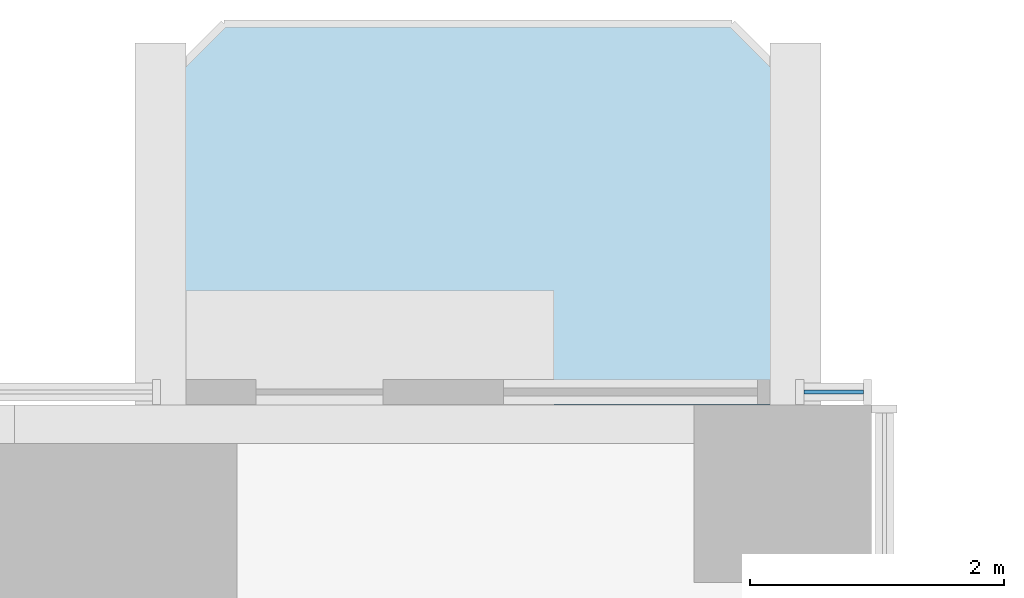
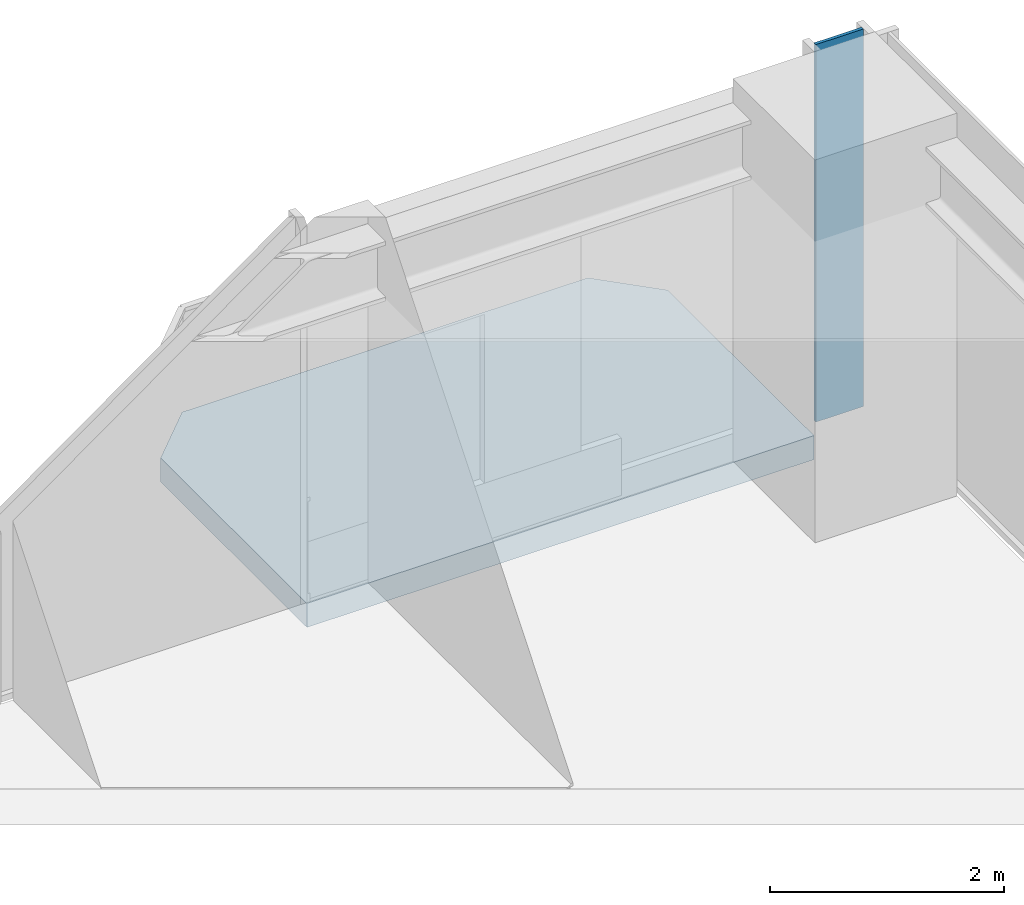
# One storey, part 10 of 17: 1 plate, 1 slab, 1 element without a shape of its own.
"""IFC4 building model written with IfcOpenShell, lengths in metres."""

from ifc_helpers import new_model, si_unit, direction, frame, origin, origin_2d, place, context, subcontext, project, spatial, polyline, rectangle, outline, extrude, material, layer, layer_set, type_object, element, aggregate, save


model = new_model("IFC4")

# Units and contexts
model_context = context("Model", 3, precision=1e-05, world=origin(), true_north=direction((0.0, 1.0)))
body_context = subcontext(model_context, "Body", "Model", "MODEL_VIEW")
ifc_project = project(units=[si_unit("LENGTHUNIT", "METRE"), si_unit("AREAUNIT", "SQUARE_METRE"), si_unit("VOLUMEUNIT", "CUBIC_METRE"), si_unit("PLANEANGLEUNIT", "RADIAN"), si_unit("MASSUNIT", "GRAM", prefix="KILO")], contexts=[model_context])

# Site, building, storey
site_placement = place(None, origin())
site = spatial("IfcSite", under=ifc_project, at=site_placement, CompositionType="ELEMENT")
building_placement = place(site_placement, origin())
building = spatial("IfcBuilding", under=site, at=building_placement, Name="Svetlomir Tower", CompositionType="ELEMENT")
storey_placement = place(building_placement, frame((0.0, 0.0, 62.5)))
storey = spatial("IfcBuildingStorey", under=building, at=storey_placement, Name="L14", CompositionType="ELEMENT", Elevation=62.5)

# Slab
ifc_material_1 = material(Name="Concrete C60/75", Category="concrete")
ifc_layer_1 = layer(ifc_material_1, 0.25)
ifc_layer_set_1 = layer_set([ifc_layer_1], Name="Concrete C60/75")
slab_type = type_object("IfcSlabType", Name="BALCONY SLAB 250", PredefinedType="FLOOR", material=ifc_layer_set_1)
slab_placement = place(storey_placement, frame((0.0, 0.0, -0.25)))
element("IfcSlab", 1, at=slab_placement, inside=storey, type_object=slab_type, Name="L14 N planted balcony", PredefinedType="FLOOR", context=body_context, shape_type="SweptSolid", body=[
    extrude(outline(polyline([(30.39990234375, 42.0), (35.39990234375, 42.0), (35.39990234375, 44.5), (34.89990234375, 45.0), (30.89990234375, 45.0), (30.39990234375, 44.5), (30.39990234375, 42.0)])), origin(), (0.0, 0.0, 1.0), 0.25),
])

# Curtain wall, plate
ifc_material_2 = material(Name="Bronze anodised aluminium curtain wall", Category="aluminium")
curtain_wall_type = type_object("IfcCurtainWallType", Name="CURTAIN WALL CW1 TOWER OFFICE", PredefinedType="NOTDEFINED", material=ifc_material_2)
curtain_wall_placement = place(storey_placement, origin())
curtain_wall = element("IfcCurtainWall", 2, at=curtain_wall_placement, inside=storey, type_object=curtain_wall_type, Name="Curtain wall CW1 L14", PredefinedType="NOTDEFINED")
ifc_material_3 = material(Name="Tinted double glazed unit", Category="glass")
ifc_layer_2 = layer(ifc_material_3, 0.031982421875)
ifc_layer_set_2 = layer_set([ifc_layer_2], Name="Tinted double glazed unit")
plate_type = type_object("IfcPlateType", Name="CW1 GLAZED PANEL 32", PredefinedType="CURTAIN_PANEL", material=ifc_layer_set_2)
plate_placement = place(storey_placement, frame((35.699951171875, 42.10009765625, 0.06494140625), z_axis=(0.0, 0.0, 1.0), x_axis=(-1.0, 0.0, 0.0)))
plate = element("IfcPlate", 3, at=plate_placement, type_object=plate_type, Name="CW1 panel 1.1", PredefinedType="CURTAIN_PANEL", context=body_context, shape_type="SweptSolid", body=[
    extrude(rectangle(XDim=0.469970703125, YDim=0.031982421875, at=origin_2d()), origin(), (0.0, 0.0, 1.0), 3.93505859375),
])
aggregate(curtain_wall, [plate])

save(model, "model.ifc")
